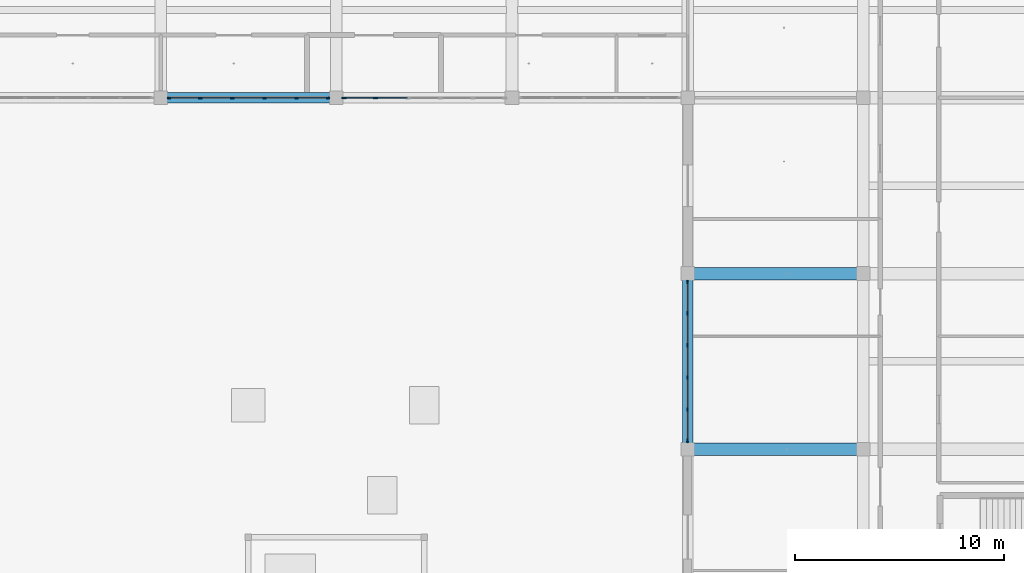
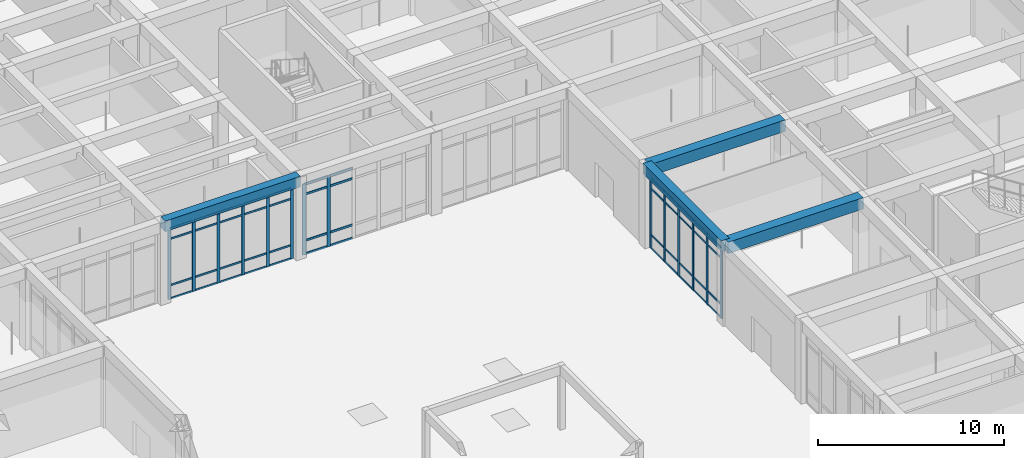
# One storey, part 41 of 167: 62 members, 4 beams, 3 elements without a shape of their own.
"""IFC4 building model written with IfcOpenShell, lengths in metres."""

from ifc_helpers import new_model, si_unit, direction, frame, origin, origin_2d, place, context, subcontext, project, spatial, rectangle, extrude, material, material_profile, profile_set, type_object, element, aggregate, save


model = new_model("IFC4")

# Units and contexts
model_context = context("Model", 3, precision=1e-05, world=origin(), true_north=direction((0.0, 1.0)))
body_context = subcontext(model_context, "Body", "Model", "MODEL_VIEW")
ifc_project = project(units=[si_unit("LENGTHUNIT", "METRE"), si_unit("AREAUNIT", "SQUARE_METRE"), si_unit("VOLUMEUNIT", "CUBIC_METRE"), si_unit("PLANEANGLEUNIT", "RADIAN"), si_unit("MASSUNIT", "GRAM", prefix="KILO")], contexts=[model_context])

# Site, building, storey
site_placement = place(None, origin())
site = spatial("IfcSite", under=ifc_project, at=site_placement, CompositionType="ELEMENT")
building_placement = place(site_placement, origin())
building = spatial("IfcBuilding", under=site, at=building_placement, Name="Varncliffe General Hospital", CompositionType="ELEMENT")
storey_placement = place(building_placement, origin())
storey = spatial("IfcBuildingStorey", under=building, at=storey_placement, Name="L00", CompositionType="ELEMENT", Elevation=0.0)

# Beams
ifc_material_1 = material(Name="Concrete C35/45 (CSA A23.1 35 MPa)", Category="concrete")
ifc_material_profile_1 = material_profile(ifc_material_1, rectangle(XDim=0.60009765625, YDim=0.75, at=origin_2d()), Name="RC 600x750")
ifc_profile_set_1 = profile_set([ifc_material_profile_1], Name="Concrete C35/45 (CSA A23.1 35 MPa)")
beam_type_1 = type_object("IfcBeamType", Name="Beam B23 (Int RC 600x750)", PredefinedType="BEAM", material=ifc_profile_set_1)
for number, where, z_axis, x_axis, name in (
    (1, (151.199951171875, 66.0, 5.02490234375), (1.0, 0.0, 0.0), (0.0, 1.0, 0.0), "L00 Primary Beam B23-96"),
    (2, (151.199951171875, 74.39990234375, 5.02490234375), (1.0, 0.0, 0.0), (0.0, 1.0, 0.0), "L00 Primary Beam B23-109"),
):
    element("IfcBeam", number, at=place(storey_placement, frame(where, z_axis=z_axis, x_axis=x_axis)), inside=storey, type_object=beam_type_1, Name=name, PredefinedType="BEAM", context=body_context, shape_type="SweptSolid", body=[
        extrude(rectangle(XDim=0.60009765625, YDim=0.75, at=origin_2d()), origin(), (0.0, 0.0, 1.0), 8.400146484375),
    ])

# Curtain wall, members
ifc_material_2 = material(Name="Triple low-E argon insulated vision glazing", Category="glass")
curtain_wall_type_1 = type_object("IfcCurtainWallType", Name="Unitised Glazed Curtain Wall CW15 (7674x4640)", PredefinedType="USERDEFINED", material=ifc_material_2)
curtain_wall_1_placement = place(storey_placement, origin())
curtain_wall_1 = element("IfcCurtainWall", 3, at=curtain_wall_1_placement, inside=storey, type_object=curtain_wall_type_1, Name="L00 Glazed Curtain Wall CW15-31", ObjectType="GLAZED CURTAIN WALL", PredefinedType="USERDEFINED")
ifc_material_3 = material(Name="Dark bronze thermally broken aluminium framing", Category="aluminium")
ifc_material_profile_2 = material_profile(ifc_material_3, rectangle(XDim=0.074951171875, YDim=0.179931640625, at=origin_2d()), Name="ALU 75x180")
ifc_profile_set_2 = profile_set([ifc_material_profile_2], Name="Dark bronze thermally broken aluminium framing")
member_type_1 = type_object("IfcMemberType", Name="Curtain Wall Mullion CM44 (ALU 75x180)", PredefinedType="MULLION", material=ifc_profile_set_2)
member_1_placement = place(storey_placement, frame((151.199951171875, 66.400390625, 0.0), z_axis=(0.0, 0.0, 1.0), x_axis=(-1.0, 0.0, 0.0)))
member_1 = element("IfcMember", 4, at=member_1_placement, type_object=member_type_1, Name="CW15 mullion 1", PredefinedType="MULLION", context=body_context, shape_type="SweptSolid", body=[
    extrude(rectangle(XDim=0.074951171875, YDim=0.179931640625, at=origin_2d()), origin(), (0.0, 0.0, 1.0), 4.639892578125),
])
member_2_placement = place(storey_placement, frame((151.199951171875, 67.897705078125, 0.0), z_axis=(0.0, 0.0, 1.0), x_axis=(-1.0, 0.0, 0.0)))
member_2 = element("IfcMember", 5, at=member_2_placement, type_object=member_type_1, Name="CW15 mullion 2", PredefinedType="MULLION", context=body_context, shape_type="SweptSolid", body=[
    extrude(rectangle(XDim=0.074951171875, YDim=0.179931640625, at=origin_2d()), origin(), (0.0, 0.0, 1.0), 4.639892578125),
])
member_3_placement = place(storey_placement, frame((151.199951171875, 69.4326171875, 0.0), z_axis=(0.0, 0.0, 1.0), x_axis=(-1.0, 0.0, 0.0)))
member_3 = element("IfcMember", 6, at=member_3_placement, type_object=member_type_1, Name="CW15 mullion 3", PredefinedType="MULLION", context=body_context, shape_type="SweptSolid", body=[
    extrude(rectangle(XDim=0.074951171875, YDim=0.179931640625, at=origin_2d()), origin(), (0.0, 0.0, 1.0), 4.639892578125),
])
member_4_placement = place(storey_placement, frame((151.199951171875, 70.96728515625, 0.0), z_axis=(0.0, 0.0, 1.0), x_axis=(-1.0, 0.0, 0.0)))
member_4 = element("IfcMember", 7, at=member_4_placement, type_object=member_type_1, Name="CW15 mullion 4", PredefinedType="MULLION", context=body_context, shape_type="SweptSolid", body=[
    extrude(rectangle(XDim=0.074951171875, YDim=0.179931640625, at=origin_2d()), origin(), (0.0, 0.0, 1.0), 4.639892578125),
])
member_5_placement = place(storey_placement, frame((151.199951171875, 72.502197265625, 0.0), z_axis=(0.0, 0.0, 1.0), x_axis=(-1.0, 0.0, 0.0)))
member_5 = element("IfcMember", 8, at=member_5_placement, type_object=member_type_1, Name="CW15 mullion 5", PredefinedType="MULLION", context=body_context, shape_type="SweptSolid", body=[
    extrude(rectangle(XDim=0.074951171875, YDim=0.179931640625, at=origin_2d()), origin(), (0.0, 0.0, 1.0), 4.639892578125),
])
member_6_placement = place(storey_placement, frame((151.199951171875, 73.99951171875, 0.0), z_axis=(0.0, 0.0, 1.0), x_axis=(-1.0, 0.0, 0.0)))
member_6 = element("IfcMember", 9, at=member_6_placement, type_object=member_type_1, Name="CW15 mullion 6", PredefinedType="MULLION", context=body_context, shape_type="SweptSolid", body=[
    extrude(rectangle(XDim=0.074951171875, YDim=0.179931640625, at=origin_2d()), origin(), (0.0, 0.0, 1.0), 4.639892578125),
])

curtain_wall_2_placement = place(storey_placement, origin())
curtain_wall_2 = element("IfcCurtainWall", 10, at=curtain_wall_2_placement, inside=storey, type_object=curtain_wall_type_1, Name="L00 Glazed Curtain Wall CW15-34", ObjectType="GLAZED CURTAIN WALL", PredefinedType="USERDEFINED")
member_7_placement = place(storey_placement, frame((133.99951171875, 82.800048828125, 0.0), z_axis=(0.0, 0.0, 1.0), x_axis=(0.0, -1.0, 0.0)))
member_7 = element("IfcMember", 11, at=member_7_placement, type_object=member_type_1, Name="CW15 mullion 1", PredefinedType="MULLION", context=body_context, shape_type="SweptSolid", body=[
    extrude(rectangle(XDim=0.074951171875, YDim=0.179931640625, at=origin_2d()), origin(), (0.0, 0.0, 1.0), 4.639892578125),
])
member_8_placement = place(storey_placement, frame((132.502197265625, 82.800048828125, 0.0), z_axis=(0.0, 0.0, 1.0), x_axis=(0.0, -1.0, 0.0)))
member_8 = element("IfcMember", 12, at=member_8_placement, type_object=member_type_1, Name="CW15 mullion 2", PredefinedType="MULLION", context=body_context, shape_type="SweptSolid", body=[
    extrude(rectangle(XDim=0.074951171875, YDim=0.179931640625, at=origin_2d()), origin(), (0.0, 0.0, 1.0), 4.639892578125),
])
member_9_placement = place(storey_placement, frame((130.96728515625, 82.800048828125, 0.0), z_axis=(0.0, 0.0, 1.0), x_axis=(0.0, -1.0, 0.0)))
member_9 = element("IfcMember", 13, at=member_9_placement, type_object=member_type_1, Name="CW15 mullion 3", PredefinedType="MULLION", context=body_context, shape_type="SweptSolid", body=[
    extrude(rectangle(XDim=0.074951171875, YDim=0.179931640625, at=origin_2d()), origin(), (0.0, 0.0, 1.0), 4.639892578125),
])
member_10_placement = place(storey_placement, frame((129.4326171875, 82.800048828125, 0.0), z_axis=(0.0, 0.0, 1.0), x_axis=(0.0, -1.0, 0.0)))
member_10 = element("IfcMember", 14, at=member_10_placement, type_object=member_type_1, Name="CW15 mullion 4", PredefinedType="MULLION", context=body_context, shape_type="SweptSolid", body=[
    extrude(rectangle(XDim=0.074951171875, YDim=0.179931640625, at=origin_2d()), origin(), (0.0, 0.0, 1.0), 4.639892578125),
])
member_11_placement = place(storey_placement, frame((127.897705078125, 82.800048828125, 0.0), z_axis=(0.0, 0.0, 1.0), x_axis=(0.0, -1.0, 0.0)))
member_11 = element("IfcMember", 15, at=member_11_placement, type_object=member_type_1, Name="CW15 mullion 5", PredefinedType="MULLION", context=body_context, shape_type="SweptSolid", body=[
    extrude(rectangle(XDim=0.074951171875, YDim=0.179931640625, at=origin_2d()), origin(), (0.0, 0.0, 1.0), 4.639892578125),
])
member_12_placement = place(storey_placement, frame((126.400390625, 82.800048828125, 0.0), z_axis=(0.0, 0.0, 1.0), x_axis=(0.0, -1.0, 0.0)))
member_12 = element("IfcMember", 16, at=member_12_placement, type_object=member_type_1, Name="CW15 mullion 6", PredefinedType="MULLION", context=body_context, shape_type="SweptSolid", body=[
    extrude(rectangle(XDim=0.074951171875, YDim=0.179931640625, at=origin_2d()), origin(), (0.0, 0.0, 1.0), 4.639892578125),
])

curtain_wall_type_2 = type_object("IfcCurtainWallType", Name="Unitised Glazed Curtain Wall CW66 (7754x4640)", PredefinedType="USERDEFINED", material=ifc_material_2)
curtain_wall_3_placement = place(storey_placement, origin())
curtain_wall_3 = element("IfcCurtainWall", 17, at=curtain_wall_3_placement, inside=storey, type_object=curtain_wall_type_2, Name="L00 Glazed Curtain Wall CW66-33", ObjectType="GLAZED CURTAIN WALL", PredefinedType="USERDEFINED")
ifc_material_profile_3 = material_profile(ifc_material_3, rectangle(XDim=0.074951171875, YDim=0.219970703125, at=origin_2d()), Name="ALU 75x220")
ifc_profile_set_3 = profile_set([ifc_material_profile_3], Name="Dark bronze thermally broken aluminium framing")
member_type_2 = type_object("IfcMemberType", Name="Curtain Wall Mullion CM74 (ALU 75x220)", PredefinedType="MULLION", material=ifc_profile_set_3)
member_13_placement = place(storey_placement, frame((136.273681640625, 82.800048828125, 0.0), z_axis=(0.0, 0.0, 1.0), x_axis=(0.0, -1.0, 0.0)))
member_13 = element("IfcMember", 18, at=member_13_placement, type_object=member_type_2, Name="CW66 mullion 5", PredefinedType="MULLION", context=body_context, shape_type="SweptSolid", body=[
    extrude(rectangle(XDim=0.074951171875, YDim=0.219970703125, at=origin_2d()), origin(), (0.0, 0.0, 1.0), 4.639892578125),
])
member_14_placement = place(storey_placement, frame((134.760498046875, 82.800048828125, 0.0), z_axis=(0.0, 0.0, 1.0), x_axis=(0.0, -1.0, 0.0)))
member_14 = element("IfcMember", 19, at=member_14_placement, type_object=member_type_2, Name="CW66 mullion 6", PredefinedType="MULLION", context=body_context, shape_type="SweptSolid", body=[
    extrude(rectangle(XDim=0.074951171875, YDim=0.219970703125, at=origin_2d()), origin(), (0.0, 0.0, 1.0), 4.639892578125),
])

# Member
ifc_material_profile_4 = material_profile(ifc_material_3, rectangle(XDim=0.06005859375, YDim=0.1201171875, at=origin_2d()), Name="ALU 60x120")
ifc_profile_set_4 = profile_set([ifc_material_profile_4], Name="Dark bronze thermally broken aluminium framing")
member_type_3 = type_object("IfcMemberType", Name="Curtain Wall Transom CT14 (ALU 60x120)", PredefinedType="USERDEFINED", material=ifc_profile_set_4)
member_15_placement = place(storey_placement, frame((151.199951171875, 66.43798828125, 0.030029296875), z_axis=(0.0, 1.0, 0.0), x_axis=(-1.0, 0.0, 0.0)))
member_15 = element("IfcMember", 20, at=member_15_placement, type_object=member_type_3, Name="CW15 transom 1.1", ObjectType="TRANSOM", PredefinedType="USERDEFINED", context=body_context, shape_type="SweptSolid", body=[
    extrude(rectangle(XDim=0.06005859375, YDim=0.1201171875, at=origin_2d()), origin(), (0.0, 0.0, 1.0), 1.42236328125),
])

member_16_placement = place(storey_placement, frame((151.199951171875, 66.43798828125, 0.89990234375), z_axis=(0.0, 1.0, 0.0), x_axis=(-1.0, 0.0, 0.0)))
member_16 = element("IfcMember", 21, at=member_16_placement, type_object=member_type_3, Name="CW15 transom 1.2", ObjectType="TRANSOM", PredefinedType="USERDEFINED", context=body_context, shape_type="SweptSolid", body=[
    extrude(rectangle(XDim=0.06005859375, YDim=0.1201171875, at=origin_2d()), origin(), (0.0, 0.0, 1.0), 1.42236328125),
])

member_17_placement = place(storey_placement, frame((151.199951171875, 66.43798828125, 3.93994140625), z_axis=(0.0, 1.0, 0.0), x_axis=(-1.0, 0.0, 0.0)))
member_17 = element("IfcMember", 22, at=member_17_placement, type_object=member_type_3, Name="CW15 transom 1.3", ObjectType="TRANSOM", PredefinedType="USERDEFINED", context=body_context, shape_type="SweptSolid", body=[
    extrude(rectangle(XDim=0.06005859375, YDim=0.1201171875, at=origin_2d()), origin(), (0.0, 0.0, 1.0), 1.42236328125),
])

member_18_placement = place(storey_placement, frame((151.199951171875, 66.43798828125, 4.610107421875), z_axis=(0.0, 1.0, 0.0), x_axis=(-1.0, 0.0, 0.0)))
member_18 = element("IfcMember", 23, at=member_18_placement, type_object=member_type_3, Name="CW15 transom 1.4", ObjectType="TRANSOM", PredefinedType="USERDEFINED", context=body_context, shape_type="SweptSolid", body=[
    extrude(rectangle(XDim=0.06005859375, YDim=0.1201171875, at=origin_2d()), origin(), (0.0, 0.0, 1.0), 1.42236328125),
])

member_19_placement = place(storey_placement, frame((151.199951171875, 67.935302734375, 0.030029296875), z_axis=(0.0, 1.0, 0.0), x_axis=(-1.0, 0.0, 0.0)))
member_19 = element("IfcMember", 24, at=member_19_placement, type_object=member_type_3, Name="CW15 transom 2.1", ObjectType="TRANSOM", PredefinedType="USERDEFINED", context=body_context, shape_type="SweptSolid", body=[
    extrude(rectangle(XDim=0.06005859375, YDim=0.1201171875, at=origin_2d()), origin(), (0.0, 0.0, 1.0), 1.459716796875),
])

member_20_placement = place(storey_placement, frame((151.199951171875, 67.935302734375, 0.89990234375), z_axis=(0.0, 1.0, 0.0), x_axis=(-1.0, 0.0, 0.0)))
member_20 = element("IfcMember", 25, at=member_20_placement, type_object=member_type_3, Name="CW15 transom 2.2", ObjectType="TRANSOM", PredefinedType="USERDEFINED", context=body_context, shape_type="SweptSolid", body=[
    extrude(rectangle(XDim=0.06005859375, YDim=0.1201171875, at=origin_2d()), origin(), (0.0, 0.0, 1.0), 1.459716796875),
])

member_21_placement = place(storey_placement, frame((151.199951171875, 67.935302734375, 3.93994140625), z_axis=(0.0, 1.0, 0.0), x_axis=(-1.0, 0.0, 0.0)))
member_21 = element("IfcMember", 26, at=member_21_placement, type_object=member_type_3, Name="CW15 transom 2.3", ObjectType="TRANSOM", PredefinedType="USERDEFINED", context=body_context, shape_type="SweptSolid", body=[
    extrude(rectangle(XDim=0.06005859375, YDim=0.1201171875, at=origin_2d()), origin(), (0.0, 0.0, 1.0), 1.459716796875),
])

member_22_placement = place(storey_placement, frame((151.199951171875, 67.935302734375, 4.610107421875), z_axis=(0.0, 1.0, 0.0), x_axis=(-1.0, 0.0, 0.0)))
member_22 = element("IfcMember", 27, at=member_22_placement, type_object=member_type_3, Name="CW15 transom 2.4", ObjectType="TRANSOM", PredefinedType="USERDEFINED", context=body_context, shape_type="SweptSolid", body=[
    extrude(rectangle(XDim=0.06005859375, YDim=0.1201171875, at=origin_2d()), origin(), (0.0, 0.0, 1.0), 1.459716796875),
])

member_23_placement = place(storey_placement, frame((151.199951171875, 69.47021484375, 0.030029296875), z_axis=(0.0, 1.0, 0.0), x_axis=(-1.0, 0.0, 0.0)))
member_23 = element("IfcMember", 28, at=member_23_placement, type_object=member_type_3, Name="CW15 transom 3.1", ObjectType="TRANSOM", PredefinedType="USERDEFINED", context=body_context, shape_type="SweptSolid", body=[
    extrude(rectangle(XDim=0.06005859375, YDim=0.1201171875, at=origin_2d()), origin(), (0.0, 0.0, 1.0), 1.459716796875),
])

member_24_placement = place(storey_placement, frame((151.199951171875, 69.47021484375, 0.89990234375), z_axis=(0.0, 1.0, 0.0), x_axis=(-1.0, 0.0, 0.0)))
member_24 = element("IfcMember", 29, at=member_24_placement, type_object=member_type_3, Name="CW15 transom 3.2", ObjectType="TRANSOM", PredefinedType="USERDEFINED", context=body_context, shape_type="SweptSolid", body=[
    extrude(rectangle(XDim=0.06005859375, YDim=0.1201171875, at=origin_2d()), origin(), (0.0, 0.0, 1.0), 1.459716796875),
])

member_25_placement = place(storey_placement, frame((151.199951171875, 69.47021484375, 3.93994140625), z_axis=(0.0, 1.0, 0.0), x_axis=(-1.0, 0.0, 0.0)))
member_25 = element("IfcMember", 30, at=member_25_placement, type_object=member_type_3, Name="CW15 transom 3.3", ObjectType="TRANSOM", PredefinedType="USERDEFINED", context=body_context, shape_type="SweptSolid", body=[
    extrude(rectangle(XDim=0.06005859375, YDim=0.1201171875, at=origin_2d()), origin(), (0.0, 0.0, 1.0), 1.459716796875),
])

member_26_placement = place(storey_placement, frame((151.199951171875, 69.47021484375, 4.610107421875), z_axis=(0.0, 1.0, 0.0), x_axis=(-1.0, 0.0, 0.0)))
member_26 = element("IfcMember", 31, at=member_26_placement, type_object=member_type_3, Name="CW15 transom 3.4", ObjectType="TRANSOM", PredefinedType="USERDEFINED", context=body_context, shape_type="SweptSolid", body=[
    extrude(rectangle(XDim=0.06005859375, YDim=0.1201171875, at=origin_2d()), origin(), (0.0, 0.0, 1.0), 1.459716796875),
])

member_27_placement = place(storey_placement, frame((151.199951171875, 71.0048828125, 0.030029296875), z_axis=(0.0, 1.0, 0.0), x_axis=(-1.0, 0.0, 0.0)))
member_27 = element("IfcMember", 32, at=member_27_placement, type_object=member_type_3, Name="CW15 transom 4.1", ObjectType="TRANSOM", PredefinedType="USERDEFINED", context=body_context, shape_type="SweptSolid", body=[
    extrude(rectangle(XDim=0.06005859375, YDim=0.1201171875, at=origin_2d()), origin(), (0.0, 0.0, 1.0), 1.459716796875),
])

member_28_placement = place(storey_placement, frame((151.199951171875, 71.0048828125, 0.89990234375), z_axis=(0.0, 1.0, 0.0), x_axis=(-1.0, 0.0, 0.0)))
member_28 = element("IfcMember", 33, at=member_28_placement, type_object=member_type_3, Name="CW15 transom 4.2", ObjectType="TRANSOM", PredefinedType="USERDEFINED", context=body_context, shape_type="SweptSolid", body=[
    extrude(rectangle(XDim=0.06005859375, YDim=0.1201171875, at=origin_2d()), origin(), (0.0, 0.0, 1.0), 1.459716796875),
])

member_29_placement = place(storey_placement, frame((151.199951171875, 71.0048828125, 3.93994140625), z_axis=(0.0, 1.0, 0.0), x_axis=(-1.0, 0.0, 0.0)))
member_29 = element("IfcMember", 34, at=member_29_placement, type_object=member_type_3, Name="CW15 transom 4.3", ObjectType="TRANSOM", PredefinedType="USERDEFINED", context=body_context, shape_type="SweptSolid", body=[
    extrude(rectangle(XDim=0.06005859375, YDim=0.1201171875, at=origin_2d()), origin(), (0.0, 0.0, 1.0), 1.459716796875),
])

member_30_placement = place(storey_placement, frame((151.199951171875, 71.0048828125, 4.610107421875), z_axis=(0.0, 1.0, 0.0), x_axis=(-1.0, 0.0, 0.0)))
member_30 = element("IfcMember", 35, at=member_30_placement, type_object=member_type_3, Name="CW15 transom 4.4", ObjectType="TRANSOM", PredefinedType="USERDEFINED", context=body_context, shape_type="SweptSolid", body=[
    extrude(rectangle(XDim=0.06005859375, YDim=0.1201171875, at=origin_2d()), origin(), (0.0, 0.0, 1.0), 1.459716796875),
])

member_31_placement = place(storey_placement, frame((151.199951171875, 72.539794921875, 0.030029296875), z_axis=(0.0, 1.0, 0.0), x_axis=(-1.0, 0.0, 0.0)))
member_31 = element("IfcMember", 36, at=member_31_placement, type_object=member_type_3, Name="CW15 transom 5.1", ObjectType="TRANSOM", PredefinedType="USERDEFINED", context=body_context, shape_type="SweptSolid", body=[
    extrude(rectangle(XDim=0.06005859375, YDim=0.1201171875, at=origin_2d()), origin(), (0.0, 0.0, 1.0), 1.422119140625),
])

member_32_placement = place(storey_placement, frame((151.199951171875, 72.539794921875, 0.89990234375), z_axis=(0.0, 1.0, 0.0), x_axis=(-1.0, 0.0, 0.0)))
member_32 = element("IfcMember", 37, at=member_32_placement, type_object=member_type_3, Name="CW15 transom 5.2", ObjectType="TRANSOM", PredefinedType="USERDEFINED", context=body_context, shape_type="SweptSolid", body=[
    extrude(rectangle(XDim=0.06005859375, YDim=0.1201171875, at=origin_2d()), origin(), (0.0, 0.0, 1.0), 1.422119140625),
])

member_33_placement = place(storey_placement, frame((151.199951171875, 72.539794921875, 3.93994140625), z_axis=(0.0, 1.0, 0.0), x_axis=(-1.0, 0.0, 0.0)))
member_33 = element("IfcMember", 38, at=member_33_placement, type_object=member_type_3, Name="CW15 transom 5.3", ObjectType="TRANSOM", PredefinedType="USERDEFINED", context=body_context, shape_type="SweptSolid", body=[
    extrude(rectangle(XDim=0.06005859375, YDim=0.1201171875, at=origin_2d()), origin(), (0.0, 0.0, 1.0), 1.422119140625),
])

member_34_placement = place(storey_placement, frame((151.199951171875, 72.539794921875, 4.610107421875), z_axis=(0.0, 1.0, 0.0), x_axis=(-1.0, 0.0, 0.0)))
member_34 = element("IfcMember", 39, at=member_34_placement, type_object=member_type_3, Name="CW15 transom 5.4", ObjectType="TRANSOM", PredefinedType="USERDEFINED", context=body_context, shape_type="SweptSolid", body=[
    extrude(rectangle(XDim=0.06005859375, YDim=0.1201171875, at=origin_2d()), origin(), (0.0, 0.0, 1.0), 1.422119140625),
])

aggregate(curtain_wall_1, [member_1, member_2, member_3, member_4, member_5, member_6, member_15, member_16, member_17, member_18, member_19, member_20, member_21, member_22, member_23, member_24, member_25, member_26, member_27, member_28, member_29, member_30, member_31, member_32, member_33, member_34])

member_35_placement = place(storey_placement, frame((133.9619140625, 82.800048828125, 0.030029296875), z_axis=(-1.0, 0.0, 0.0), x_axis=(0.0, -1.0, 0.0)))
member_35 = element("IfcMember", 40, at=member_35_placement, type_object=member_type_3, Name="CW15 transom 1.1", ObjectType="TRANSOM", PredefinedType="USERDEFINED", context=body_context, shape_type="SweptSolid", body=[
    extrude(rectangle(XDim=0.06005859375, YDim=0.1201171875, at=origin_2d()), origin(), (0.0, 0.0, 1.0), 1.422119140625),
])

member_36_placement = place(storey_placement, frame((133.9619140625, 82.800048828125, 0.89990234375), z_axis=(-1.0, 0.0, 0.0), x_axis=(0.0, -1.0, 0.0)))
member_36 = element("IfcMember", 41, at=member_36_placement, type_object=member_type_3, Name="CW15 transom 1.2", ObjectType="TRANSOM", PredefinedType="USERDEFINED", context=body_context, shape_type="SweptSolid", body=[
    extrude(rectangle(XDim=0.06005859375, YDim=0.1201171875, at=origin_2d()), origin(), (0.0, 0.0, 1.0), 1.422119140625),
])

member_37_placement = place(storey_placement, frame((133.9619140625, 82.800048828125, 3.93994140625), z_axis=(-1.0, 0.0, 0.0), x_axis=(0.0, -1.0, 0.0)))
member_37 = element("IfcMember", 42, at=member_37_placement, type_object=member_type_3, Name="CW15 transom 1.3", ObjectType="TRANSOM", PredefinedType="USERDEFINED", context=body_context, shape_type="SweptSolid", body=[
    extrude(rectangle(XDim=0.06005859375, YDim=0.1201171875, at=origin_2d()), origin(), (0.0, 0.0, 1.0), 1.422119140625),
])

member_38_placement = place(storey_placement, frame((133.9619140625, 82.800048828125, 4.610107421875), z_axis=(-1.0, 0.0, 0.0), x_axis=(0.0, -1.0, 0.0)))
member_38 = element("IfcMember", 43, at=member_38_placement, type_object=member_type_3, Name="CW15 transom 1.4", ObjectType="TRANSOM", PredefinedType="USERDEFINED", context=body_context, shape_type="SweptSolid", body=[
    extrude(rectangle(XDim=0.06005859375, YDim=0.1201171875, at=origin_2d()), origin(), (0.0, 0.0, 1.0), 1.422119140625),
])

member_39_placement = place(storey_placement, frame((132.464599609375, 82.800048828125, 0.030029296875), z_axis=(-1.0, 0.0, 0.0), x_axis=(0.0, -1.0, 0.0)))
member_39 = element("IfcMember", 44, at=member_39_placement, type_object=member_type_3, Name="CW15 transom 2.1", ObjectType="TRANSOM", PredefinedType="USERDEFINED", context=body_context, shape_type="SweptSolid", body=[
    extrude(rectangle(XDim=0.06005859375, YDim=0.1201171875, at=origin_2d()), origin(), (0.0, 0.0, 1.0), 1.459716796875),
])

member_40_placement = place(storey_placement, frame((132.464599609375, 82.800048828125, 0.89990234375), z_axis=(-1.0, 0.0, 0.0), x_axis=(0.0, -1.0, 0.0)))
member_40 = element("IfcMember", 45, at=member_40_placement, type_object=member_type_3, Name="CW15 transom 2.2", ObjectType="TRANSOM", PredefinedType="USERDEFINED", context=body_context, shape_type="SweptSolid", body=[
    extrude(rectangle(XDim=0.06005859375, YDim=0.1201171875, at=origin_2d()), origin(), (0.0, 0.0, 1.0), 1.459716796875),
])

member_41_placement = place(storey_placement, frame((132.464599609375, 82.800048828125, 3.93994140625), z_axis=(-1.0, 0.0, 0.0), x_axis=(0.0, -1.0, 0.0)))
member_41 = element("IfcMember", 46, at=member_41_placement, type_object=member_type_3, Name="CW15 transom 2.3", ObjectType="TRANSOM", PredefinedType="USERDEFINED", context=body_context, shape_type="SweptSolid", body=[
    extrude(rectangle(XDim=0.06005859375, YDim=0.1201171875, at=origin_2d()), origin(), (0.0, 0.0, 1.0), 1.459716796875),
])

member_42_placement = place(storey_placement, frame((132.464599609375, 82.800048828125, 4.610107421875), z_axis=(-1.0, 0.0, 0.0), x_axis=(0.0, -1.0, 0.0)))
member_42 = element("IfcMember", 47, at=member_42_placement, type_object=member_type_3, Name="CW15 transom 2.4", ObjectType="TRANSOM", PredefinedType="USERDEFINED", context=body_context, shape_type="SweptSolid", body=[
    extrude(rectangle(XDim=0.06005859375, YDim=0.1201171875, at=origin_2d()), origin(), (0.0, 0.0, 1.0), 1.459716796875),
])

member_43_placement = place(storey_placement, frame((130.929931640625, 82.800048828125, 0.030029296875), z_axis=(-1.0, 0.0, 0.0), x_axis=(0.0, -1.0, 0.0)))
member_43 = element("IfcMember", 48, at=member_43_placement, type_object=member_type_3, Name="CW15 transom 3.1", ObjectType="TRANSOM", PredefinedType="USERDEFINED", context=body_context, shape_type="SweptSolid", body=[
    extrude(rectangle(XDim=0.06005859375, YDim=0.1201171875, at=origin_2d()), origin(), (0.0, 0.0, 1.0), 1.459716796875),
])

member_44_placement = place(storey_placement, frame((130.929931640625, 82.800048828125, 0.89990234375), z_axis=(-1.0, 0.0, 0.0), x_axis=(0.0, -1.0, 0.0)))
member_44 = element("IfcMember", 49, at=member_44_placement, type_object=member_type_3, Name="CW15 transom 3.2", ObjectType="TRANSOM", PredefinedType="USERDEFINED", context=body_context, shape_type="SweptSolid", body=[
    extrude(rectangle(XDim=0.06005859375, YDim=0.1201171875, at=origin_2d()), origin(), (0.0, 0.0, 1.0), 1.459716796875),
])

member_45_placement = place(storey_placement, frame((130.929931640625, 82.800048828125, 3.93994140625), z_axis=(-1.0, 0.0, 0.0), x_axis=(0.0, -1.0, 0.0)))
member_45 = element("IfcMember", 50, at=member_45_placement, type_object=member_type_3, Name="CW15 transom 3.3", ObjectType="TRANSOM", PredefinedType="USERDEFINED", context=body_context, shape_type="SweptSolid", body=[
    extrude(rectangle(XDim=0.06005859375, YDim=0.1201171875, at=origin_2d()), origin(), (0.0, 0.0, 1.0), 1.459716796875),
])

member_46_placement = place(storey_placement, frame((130.929931640625, 82.800048828125, 4.610107421875), z_axis=(-1.0, 0.0, 0.0), x_axis=(0.0, -1.0, 0.0)))
member_46 = element("IfcMember", 51, at=member_46_placement, type_object=member_type_3, Name="CW15 transom 3.4", ObjectType="TRANSOM", PredefinedType="USERDEFINED", context=body_context, shape_type="SweptSolid", body=[
    extrude(rectangle(XDim=0.06005859375, YDim=0.1201171875, at=origin_2d()), origin(), (0.0, 0.0, 1.0), 1.459716796875),
])

member_47_placement = place(storey_placement, frame((129.39501953125, 82.800048828125, 0.030029296875), z_axis=(-1.0, 0.0, 0.0), x_axis=(0.0, -1.0, 0.0)))
member_47 = element("IfcMember", 52, at=member_47_placement, type_object=member_type_3, Name="CW15 transom 4.1", ObjectType="TRANSOM", PredefinedType="USERDEFINED", context=body_context, shape_type="SweptSolid", body=[
    extrude(rectangle(XDim=0.06005859375, YDim=0.1201171875, at=origin_2d()), origin(), (0.0, 0.0, 1.0), 1.459716796875),
])

member_48_placement = place(storey_placement, frame((129.39501953125, 82.800048828125, 0.89990234375), z_axis=(-1.0, 0.0, 0.0), x_axis=(0.0, -1.0, 0.0)))
member_48 = element("IfcMember", 53, at=member_48_placement, type_object=member_type_3, Name="CW15 transom 4.2", ObjectType="TRANSOM", PredefinedType="USERDEFINED", context=body_context, shape_type="SweptSolid", body=[
    extrude(rectangle(XDim=0.06005859375, YDim=0.1201171875, at=origin_2d()), origin(), (0.0, 0.0, 1.0), 1.459716796875),
])

member_49_placement = place(storey_placement, frame((129.39501953125, 82.800048828125, 3.93994140625), z_axis=(-1.0, 0.0, 0.0), x_axis=(0.0, -1.0, 0.0)))
member_49 = element("IfcMember", 54, at=member_49_placement, type_object=member_type_3, Name="CW15 transom 4.3", ObjectType="TRANSOM", PredefinedType="USERDEFINED", context=body_context, shape_type="SweptSolid", body=[
    extrude(rectangle(XDim=0.06005859375, YDim=0.1201171875, at=origin_2d()), origin(), (0.0, 0.0, 1.0), 1.459716796875),
])

member_50_placement = place(storey_placement, frame((129.39501953125, 82.800048828125, 4.610107421875), z_axis=(-1.0, 0.0, 0.0), x_axis=(0.0, -1.0, 0.0)))
member_50 = element("IfcMember", 55, at=member_50_placement, type_object=member_type_3, Name="CW15 transom 4.4", ObjectType="TRANSOM", PredefinedType="USERDEFINED", context=body_context, shape_type="SweptSolid", body=[
    extrude(rectangle(XDim=0.06005859375, YDim=0.1201171875, at=origin_2d()), origin(), (0.0, 0.0, 1.0), 1.459716796875),
])

member_51_placement = place(storey_placement, frame((127.8603515625, 82.800048828125, 0.030029296875), z_axis=(-1.0, 0.0, 0.0), x_axis=(0.0, -1.0, 0.0)))
member_51 = element("IfcMember", 56, at=member_51_placement, type_object=member_type_3, Name="CW15 transom 5.1", ObjectType="TRANSOM", PredefinedType="USERDEFINED", context=body_context, shape_type="SweptSolid", body=[
    extrude(rectangle(XDim=0.06005859375, YDim=0.1201171875, at=origin_2d()), origin(), (0.0, 0.0, 1.0), 1.42236328125),
])

member_52_placement = place(storey_placement, frame((127.8603515625, 82.800048828125, 0.89990234375), z_axis=(-1.0, 0.0, 0.0), x_axis=(0.0, -1.0, 0.0)))
member_52 = element("IfcMember", 57, at=member_52_placement, type_object=member_type_3, Name="CW15 transom 5.2", ObjectType="TRANSOM", PredefinedType="USERDEFINED", context=body_context, shape_type="SweptSolid", body=[
    extrude(rectangle(XDim=0.06005859375, YDim=0.1201171875, at=origin_2d()), origin(), (0.0, 0.0, 1.0), 1.42236328125),
])

member_53_placement = place(storey_placement, frame((127.8603515625, 82.800048828125, 3.93994140625), z_axis=(-1.0, 0.0, 0.0), x_axis=(0.0, -1.0, 0.0)))
member_53 = element("IfcMember", 58, at=member_53_placement, type_object=member_type_3, Name="CW15 transom 5.3", ObjectType="TRANSOM", PredefinedType="USERDEFINED", context=body_context, shape_type="SweptSolid", body=[
    extrude(rectangle(XDim=0.06005859375, YDim=0.1201171875, at=origin_2d()), origin(), (0.0, 0.0, 1.0), 1.42236328125),
])

member_54_placement = place(storey_placement, frame((127.8603515625, 82.800048828125, 4.610107421875), z_axis=(-1.0, 0.0, 0.0), x_axis=(0.0, -1.0, 0.0)))
member_54 = element("IfcMember", 59, at=member_54_placement, type_object=member_type_3, Name="CW15 transom 5.4", ObjectType="TRANSOM", PredefinedType="USERDEFINED", context=body_context, shape_type="SweptSolid", body=[
    extrude(rectangle(XDim=0.06005859375, YDim=0.1201171875, at=origin_2d()), origin(), (0.0, 0.0, 1.0), 1.42236328125),
])

aggregate(curtain_wall_2, [member_7, member_8, member_9, member_10, member_11, member_12, member_35, member_36, member_37, member_38, member_39, member_40, member_41, member_42, member_43, member_44, member_45, member_46, member_47, member_48, member_49, member_50, member_51, member_52, member_53, member_54])

ifc_material_profile_5 = material_profile(ifc_material_3, rectangle(XDim=0.06494140625, YDim=0.139892578125, at=origin_2d()), Name="ALU 65x140")
ifc_profile_set_5 = profile_set([ifc_material_profile_5], Name="Dark bronze thermally broken aluminium framing")
member_type_4 = type_object("IfcMemberType", Name="Curtain Wall Transom CT69 (ALU 65x140)", PredefinedType="USERDEFINED", material=ifc_profile_set_5)
member_55_placement = place(storey_placement, frame((137.787109375, 82.800048828125, 0.032470703125), z_axis=(-1.0, 0.0, 0.0), x_axis=(0.0, -1.0, 0.0)))
member_55 = element("IfcMember", 60, at=member_55_placement, type_object=member_type_4, Name="CW66 transom 4.1", ObjectType="TRANSOM", PredefinedType="USERDEFINED", context=body_context, shape_type="SweptSolid", body=[
    extrude(rectangle(XDim=0.06494140625, YDim=0.139892578125, at=origin_2d()), origin(), (0.0, 0.0, 1.0), 1.475830078125),
])

member_56_placement = place(storey_placement, frame((137.787109375, 82.800048828125, 0.89990234375), z_axis=(-1.0, 0.0, 0.0), x_axis=(0.0, -1.0, 0.0)))
member_56 = element("IfcMember", 61, at=member_56_placement, type_object=member_type_4, Name="CW66 transom 4.2", ObjectType="TRANSOM", PredefinedType="USERDEFINED", context=body_context, shape_type="SweptSolid", body=[
    extrude(rectangle(XDim=0.06494140625, YDim=0.139892578125, at=origin_2d()), origin(), (0.0, 0.0, 1.0), 1.475830078125),
])

member_57_placement = place(storey_placement, frame((137.787109375, 82.800048828125, 3.93994140625), z_axis=(-1.0, 0.0, 0.0), x_axis=(0.0, -1.0, 0.0)))
member_57 = element("IfcMember", 62, at=member_57_placement, type_object=member_type_4, Name="CW66 transom 4.3", ObjectType="TRANSOM", PredefinedType="USERDEFINED", context=body_context, shape_type="SweptSolid", body=[
    extrude(rectangle(XDim=0.06494140625, YDim=0.139892578125, at=origin_2d()), origin(), (0.0, 0.0, 1.0), 1.475830078125),
])

member_58_placement = place(storey_placement, frame((137.787109375, 82.800048828125, 4.607421875), z_axis=(-1.0, 0.0, 0.0), x_axis=(0.0, -1.0, 0.0)))
member_58 = element("IfcMember", 63, at=member_58_placement, type_object=member_type_4, Name="CW66 transom 4.4", ObjectType="TRANSOM", PredefinedType="USERDEFINED", context=body_context, shape_type="SweptSolid", body=[
    extrude(rectangle(XDim=0.06494140625, YDim=0.139892578125, at=origin_2d()), origin(), (0.0, 0.0, 1.0), 1.475830078125),
])

member_59_placement = place(storey_placement, frame((136.236328125, 82.800048828125, 0.032470703125), z_axis=(-1.0, 0.0, 0.0), x_axis=(0.0, -1.0, 0.0)))
member_59 = element("IfcMember", 64, at=member_59_placement, type_object=member_type_4, Name="CW66 transom 5.1", ObjectType="TRANSOM", PredefinedType="USERDEFINED", context=body_context, shape_type="SweptSolid", body=[
    extrude(rectangle(XDim=0.06494140625, YDim=0.139892578125, at=origin_2d()), origin(), (0.0, 0.0, 1.0), 1.438232421875),
])

member_60_placement = place(storey_placement, frame((136.236328125, 82.800048828125, 0.89990234375), z_axis=(-1.0, 0.0, 0.0), x_axis=(0.0, -1.0, 0.0)))
member_60 = element("IfcMember", 65, at=member_60_placement, type_object=member_type_4, Name="CW66 transom 5.2", ObjectType="TRANSOM", PredefinedType="USERDEFINED", context=body_context, shape_type="SweptSolid", body=[
    extrude(rectangle(XDim=0.06494140625, YDim=0.139892578125, at=origin_2d()), origin(), (0.0, 0.0, 1.0), 1.438232421875),
])

member_61_placement = place(storey_placement, frame((136.236328125, 82.800048828125, 3.93994140625), z_axis=(-1.0, 0.0, 0.0), x_axis=(0.0, -1.0, 0.0)))
member_61 = element("IfcMember", 66, at=member_61_placement, type_object=member_type_4, Name="CW66 transom 5.3", ObjectType="TRANSOM", PredefinedType="USERDEFINED", context=body_context, shape_type="SweptSolid", body=[
    extrude(rectangle(XDim=0.06494140625, YDim=0.139892578125, at=origin_2d()), origin(), (0.0, 0.0, 1.0), 1.438232421875),
])

member_62_placement = place(storey_placement, frame((136.236328125, 82.800048828125, 4.607421875), z_axis=(-1.0, 0.0, 0.0), x_axis=(0.0, -1.0, 0.0)))
member_62 = element("IfcMember", 67, at=member_62_placement, type_object=member_type_4, Name="CW66 transom 5.4", ObjectType="TRANSOM", PredefinedType="USERDEFINED", context=body_context, shape_type="SweptSolid", body=[
    extrude(rectangle(XDim=0.06494140625, YDim=0.139892578125, at=origin_2d()), origin(), (0.0, 0.0, 1.0), 1.438232421875),
])

aggregate(curtain_wall_3, [member_13, member_14, member_55, member_56, member_57, member_58, member_59, member_60, member_61, member_62])

# Beams
ifc_material_profile_6 = material_profile(ifc_material_1, rectangle(XDim=0.5, YDim=0.699951171875, at=origin_2d()), Name="RC 500x700")
ifc_profile_set_6 = profile_set([ifc_material_profile_6], Name="Concrete C35/45 (CSA A23.1 35 MPa)")
beam_type_2 = type_object("IfcBeamType", Name="Spandrel SP19 (Ext RC 500x700)", PredefinedType="SPANDREL", material=ifc_profile_set_6)
for number, where, z_axis, x_axis, name in (
    (68, (126.0, 82.800048828125, 5.050048828125), (1.0, 0.0, 0.0), (0.0, 1.0, 0.0), "L00 Spandrel Beam SP19-127"),
    (69, (151.199951171875, 66.0, 5.050048828125), (0.0, 1.0, 0.0), (-1.0, 0.0, 0.0), "L00 Spandrel Beam SP19-467"),
):
    element("IfcBeam", number, at=place(storey_placement, frame(where, z_axis=z_axis, x_axis=x_axis)), inside=storey, type_object=beam_type_2, Name=name, PredefinedType="SPANDREL", context=body_context, shape_type="SweptSolid", body=[
        extrude(rectangle(XDim=0.5, YDim=0.699951171875, at=origin_2d()), origin(), (0.0, 0.0, 1.0), 8.39990234375),
    ])

save(model, "model.ifc")
